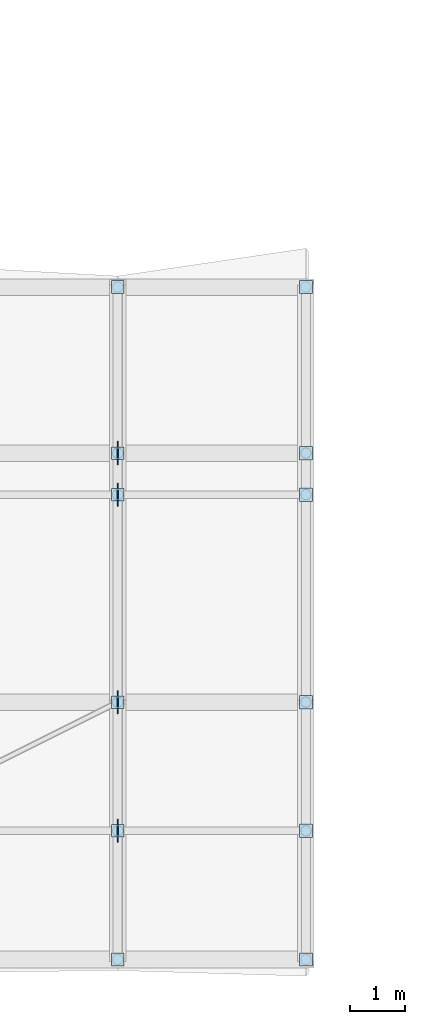
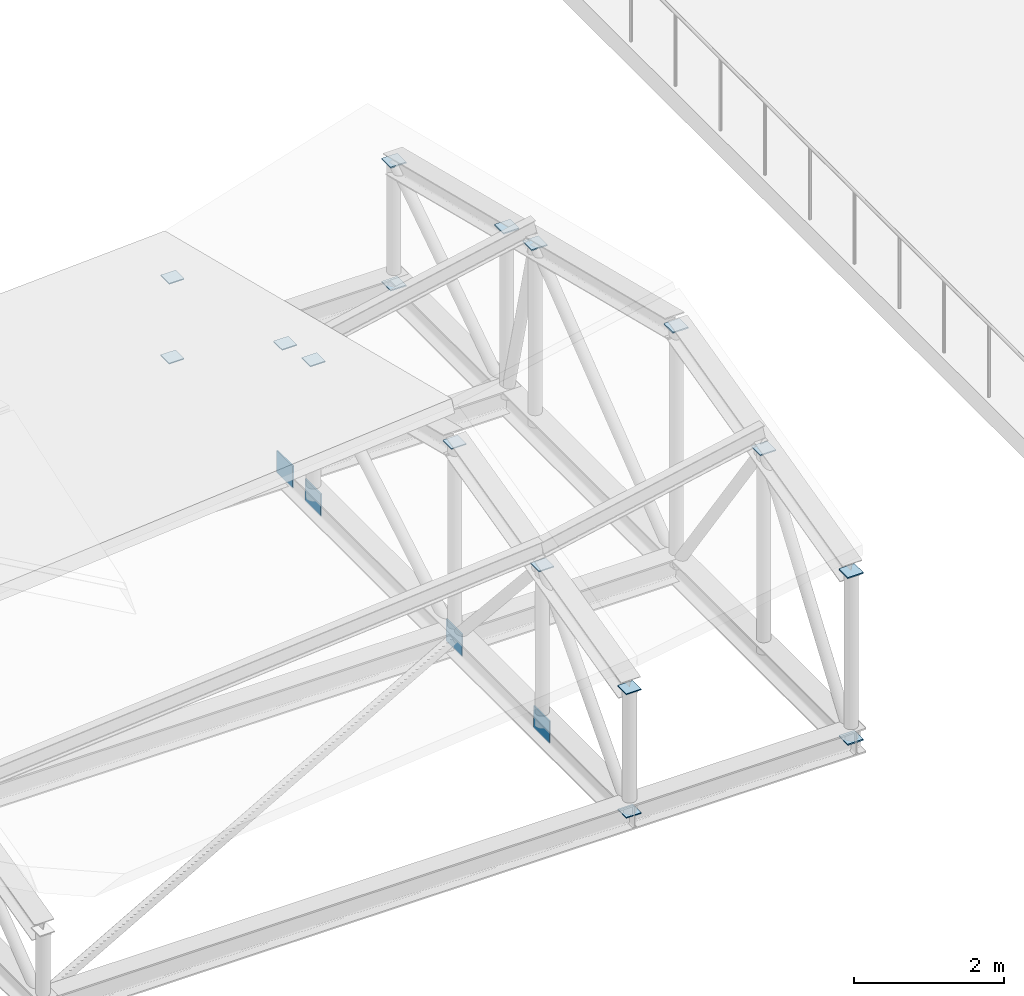
# One storey, part 35 of 55: 20 plates.
"""IFC4 building model written with IfcOpenShell, lengths in metres."""

from ifc_helpers import new_model, si_unit, direction, frame, origin, origin_2d, place, context, subcontext, project, spatial, rectangle, extrude, material, layer, layer_set, type_object, element, save


model = new_model("IFC4")

# Units and contexts
model_context = context("Model", 3, precision=1e-05, world=origin(), true_north=direction((0.0, 1.0)))
body_context = subcontext(model_context, "Body", "Model", "MODEL_VIEW")
ifc_project = project(units=[si_unit("LENGTHUNIT", "METRE"), si_unit("AREAUNIT", "SQUARE_METRE"), si_unit("VOLUMEUNIT", "CUBIC_METRE"), si_unit("PLANEANGLEUNIT", "RADIAN"), si_unit("MASSUNIT", "GRAM", prefix="KILO")], contexts=[model_context])

# Site, building, storey
site_placement = place(None, origin())
site = spatial("IfcSite", under=ifc_project, at=site_placement, CompositionType="ELEMENT")
building_placement = place(site_placement, origin())
building = spatial("IfcBuilding", under=site, at=building_placement, Name="Bozkorgan Art Gallery", CompositionType="ELEMENT")
storey_placement = place(building_placement, frame((0.0, 0.0, 15.0)))
storey = spatial("IfcBuildingStorey", under=building, at=storey_placement, Name="L03", CompositionType="ELEMENT", Elevation=15.0)

# Plates
ifc_material = material(Name="Steel S355J2", Category="steel")
ifc_layer_1 = layer(ifc_material, 0.01611328125, Name="Steel S355J2")
ifc_layer_set_1 = layer_set([ifc_layer_1], Name="Steel S355J2")
plate_type_1 = type_object("IfcPlateType", Name="PLATE-EC-05", PredefinedType="USERDEFINED", material=ifc_layer_set_1)
for number, where, z_axis, x_axis, name in (
    (1, (119.0, 1.85009765625, 2.197509765625), (0.0, 0.0, 1.0), (1.0, 0.0, 0.0), "Truss V3 post cap 6.0"),
    (2, (119.0, 1.85009765625, 0.19189453125), (0.0, 0.0, 1.0), (1.0, 0.0, 0.0), "Truss V3 post base cap 6.0"),
    (3, (119.0, 4.175048828125, 2.777099609375), (0.0, 0.0, 1.0), (1.0, 0.0, 0.0), "Truss V3 post cap 6.1"),
    (4, (119.0, 6.5, 3.35693359375), (0.0, 0.0, 1.0), (1.0, 0.0, 0.0), "Truss V3 post cap 6.2"),
    (5, (119.0, 10.25, 2.421875), (0.0, 0.0, 1.0), (1.0, 0.0, 0.0), "Truss V3 post cap 6.3"),
    (6, (119.0, 11.0, 2.23486328125), (0.0, 0.0, 1.0), (1.0, 0.0, 0.0), "Truss V3 post cap 6.4"),
    (7, (119.0, 14.0, 1.48681640625), (0.0, 0.0, 1.0), (1.0, 0.0, 0.0), "Truss V3 post cap 6.5"),
    (8, (119.0, 14.0, 0.19189453125), (0.0, 0.0, 1.0), (1.0, 0.0, 0.0), "Truss V3 post base cap 6.5"),
):
    element("IfcPlate", number, at=place(storey_placement, frame(where, z_axis=z_axis, x_axis=x_axis)), inside=storey, type_object=plate_type_1, Name=name, ObjectType="END CAP PLATE", PredefinedType="USERDEFINED", context=body_context, shape_type="SweptSolid", body=[
        extrude(rectangle(XDim=0.22998046875, YDim=0.22998046875, at=origin_2d()), origin(), (0.0, 0.0, 1.0), 0.01611328125),
    ])
ifc_layer_2 = layer(ifc_material, 0.02001953125, Name="Steel S355J2")
ifc_layer_set_2 = layer_set([ifc_layer_2], Name="Steel S355J2")
plate_type_2 = type_object("IfcPlateType", Name="PLATE-EC-24", PredefinedType="USERDEFINED", material=ifc_layer_set_2)
for number, where, z_axis, x_axis, name in (
    (9, (122.39990234375, 1.85009765625, 2.895263671875), (0.0, 0.0, 1.0), (1.0, 0.0, 0.0), "Truss V3 post cap 7.0"),
    (10, (122.39990234375, 1.85009765625, 0.18994140625), (0.0, 0.0, 1.0), (1.0, 0.0, 0.0), "Truss V3 post base cap 7.0"),
    (11, (122.39990234375, 4.175048828125, 3.474853515625), (0.0, 0.0, 1.0), (1.0, 0.0, 0.0), "Truss V3 post cap 7.1"),
    (12, (122.39990234375, 6.5, 4.0546875), (0.0, 0.0, 1.0), (1.0, 0.0, 0.0), "Truss V3 post cap 7.2"),
    (13, (122.39990234375, 10.25, 3.11962890625), (0.0, 0.0, 1.0), (1.0, 0.0, 0.0), "Truss V3 post cap 7.3"),
    (14, (122.39990234375, 11.0, 2.9326171875), (0.0, 0.0, 1.0), (1.0, 0.0, 0.0), "Truss V3 post cap 7.4"),
    (15, (122.39990234375, 14.0, 2.1845703125), (0.0, 0.0, 1.0), (1.0, 0.0, 0.0), "Truss V3 post cap 7.5"),
    (16, (122.39990234375, 14.0, 0.18994140625), (0.0, 0.0, 1.0), (1.0, 0.0, 0.0), "Truss V3 post base cap 7.5"),
):
    element("IfcPlate", number, at=place(storey_placement, frame(where, z_axis=z_axis, x_axis=x_axis)), inside=storey, type_object=plate_type_2, Name=name, ObjectType="END CAP PLATE", PredefinedType="USERDEFINED", context=body_context, shape_type="SweptSolid", body=[
        extrude(rectangle(XDim=0.239990234375, YDim=0.239990234375, at=origin_2d()), origin(), (0.0, 0.0, 1.0), 0.02001953125),
    ])
ifc_layer_3 = layer(ifc_material, 0.02392578125, Name="Steel S355J2")
ifc_layer_set_3 = layer_set([ifc_layer_3], Name="Steel S355J2")
plate_type_3 = type_object("IfcPlateType", Name="PLATE-GP-38", PredefinedType="USERDEFINED", material=ifc_layer_set_3)
plate_placement = place(storey_placement, frame((119.0, 6.5, 0.02001953125), z_axis=(0.0, 0.0, 1.0), x_axis=(1.0, 0.0, 0.0)))
element("IfcPlate", 17, at=plate_placement, inside=storey, type_object=plate_type_3, Name="Truss V3 span 6 node gusset TN-2", ObjectType="GUSSET PLATE", PredefinedType="USERDEFINED", context=body_context, shape_type="SweptSolid", body=[
    extrude(rectangle(XDim=0.02001953125, YDim=0.419921875, at=origin_2d()), origin(), (0.0, 0.0, 1.0), 0.360107421875),
])
ifc_layer_4 = layer(ifc_material, 0.02001953125, Name="Steel S355J2")
ifc_layer_set_4 = layer_set([ifc_layer_4], Name="Steel S355J2")
plate_type_4 = type_object("IfcPlateType", Name="PLATE-GP-55", PredefinedType="USERDEFINED", material=ifc_layer_set_4)
for number, where, z_axis, x_axis, name in (
    (18, (119.0, 4.175048828125, 0.02001953125), (0.0, 0.0, 1.0), (1.0, 0.0, 0.0), "Truss V3 span 6 node gusset TN-1"),
    (19, (119.0, 10.25, 0.02001953125), (0.0, 0.0, 1.0), (1.0, 0.0, 0.0), "Truss V3 span 6 node gusset TN-3"),
    (20, (119.0, 11.0, 0.02001953125), (0.0, 0.0, 1.0), (1.0, 0.0, 0.0), "Truss V3 span 6 node gusset TN-4"),
):
    element("IfcPlate", number, at=place(storey_placement, frame(where, z_axis=z_axis, x_axis=x_axis)), inside=storey, type_object=plate_type_4, Name=name, ObjectType="GUSSET PLATE", PredefinedType="USERDEFINED", context=body_context, shape_type="SweptSolid", body=[
        extrude(rectangle(XDim=0.02001953125, YDim=0.419921875, at=origin_2d()), origin(), (0.0, 0.0, 1.0), 0.360107421875),
    ])

save(model, "model.ifc")
